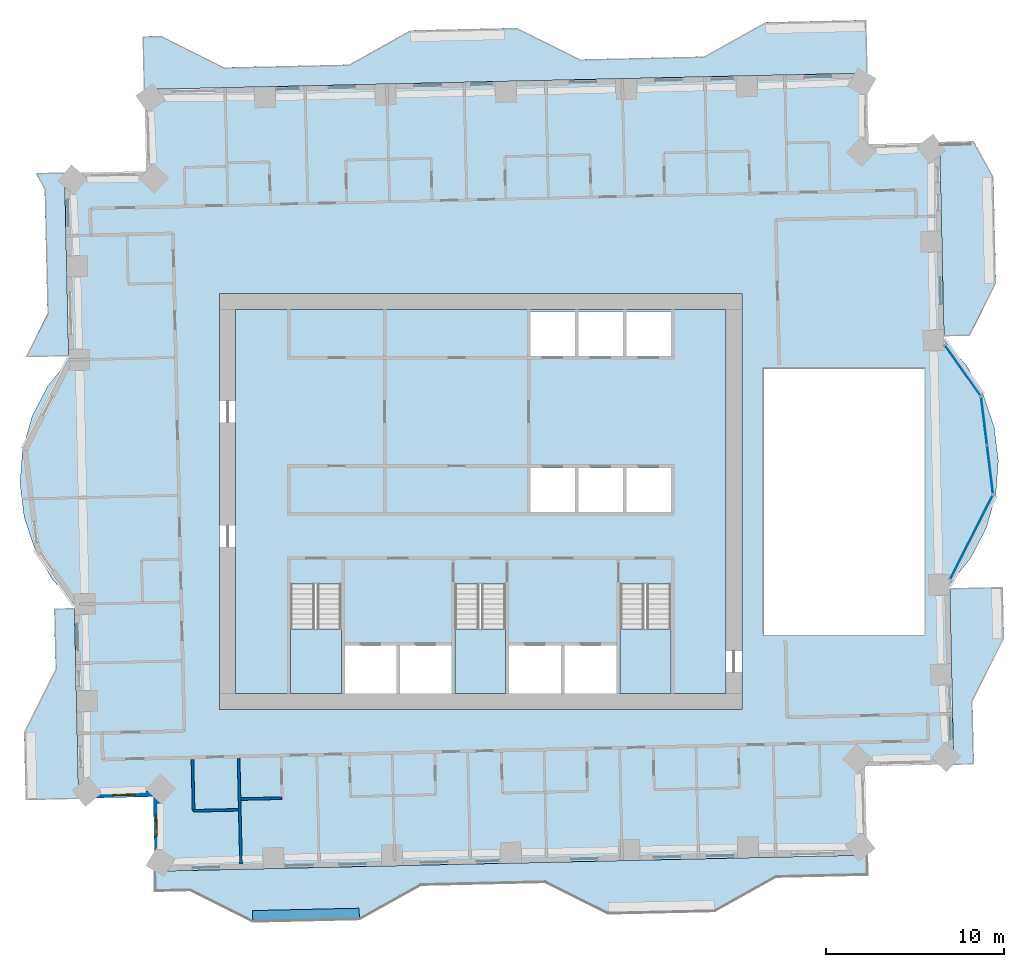
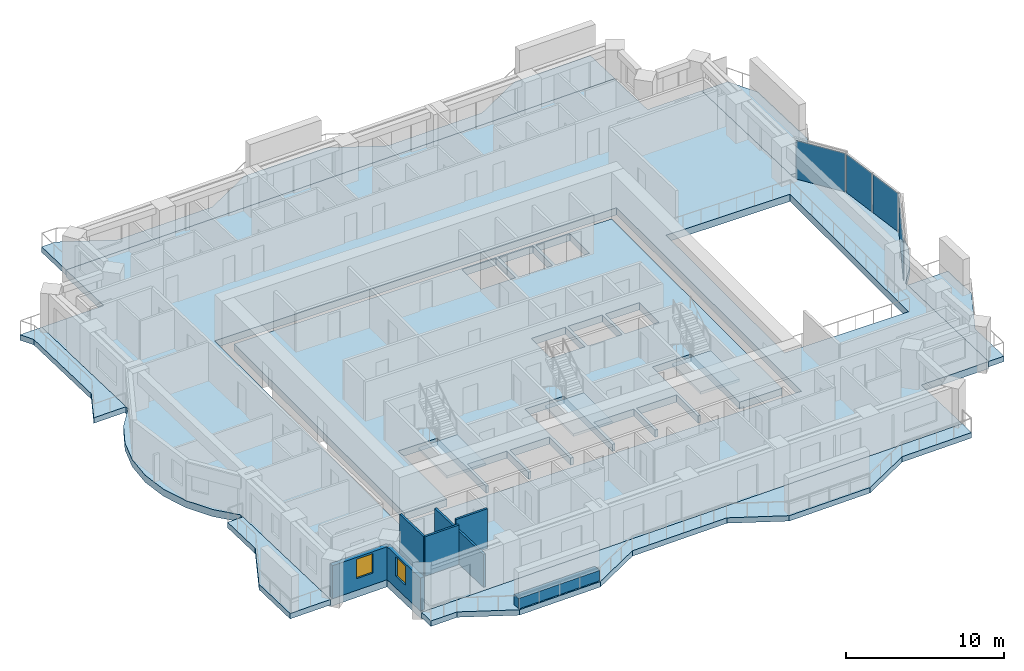
# One storey, part 5 of 16: 11 slabs, 7 walls, 4 plates, 2 windows, 2 openings, 6 elements without a shape of their own.
"""IFC4 building model written with IfcOpenShell, lengths in metres."""

from ifc_helpers import new_model, si_unit, direction, frame, frame_2d, origin, origin_2d, place, context, subcontext, project, spatial, polyline, rectangle, outline, extrude, material, layer, layer_set, type_object, element, fill, aggregate, save


model = new_model("IFC4")

# Units and contexts
model_context = context("Model", 3, precision=1e-05, world=origin(), true_north=direction((0.0, 1.0)))
body_context = subcontext(model_context, "Body", "Model", "MODEL_VIEW")
ifc_project = project(units=[si_unit("LENGTHUNIT", "METRE"), si_unit("AREAUNIT", "SQUARE_METRE"), si_unit("VOLUMEUNIT", "CUBIC_METRE"), si_unit("PLANEANGLEUNIT", "RADIAN"), si_unit("MASSUNIT", "GRAM", prefix="KILO")], contexts=[model_context])

# Site, building, storey
site_placement = place(None, origin())
site = spatial("IfcSite", under=ifc_project, at=site_placement, CompositionType="ELEMENT")
building_placement = place(site_placement, origin())
building = spatial("IfcBuilding", under=site, at=building_placement, Name="Mangrove Gate Tower", CompositionType="ELEMENT")
storey_placement = place(building_placement, frame((0.0, 0.0, 178.89990234375)))
storey = spatial("IfcBuildingStorey", under=building, at=storey_placement, Name="L45", CompositionType="ELEMENT", Elevation=178.89990234375)

# Curtain wall, plate
ifc_material_1 = material(Name="Aluminium and glass curtain wall", Category="aluminium")
curtain_wall_type = type_object("IfcCurtainWallType", Name="Atrium garden-court glazing wall", PredefinedType="NOTDEFINED", material=ifc_material_1)
curtain_wall_1_placement = place(storey_placement, origin())
curtain_wall_1 = element("IfcCurtainWall", 1, at=curtain_wall_1_placement, inside=storey, type_object=curtain_wall_type, Name="Atrium garden-court glazing E1f1", PredefinedType="NOTDEFINED")
ifc_material_2 = material(Name="Laminated low-e glass", Category="glass")
ifc_layer_1 = layer(ifc_material_2, 0.031982421875)
ifc_layer_set_1 = layer_set([ifc_layer_1], Name="Atrium garden-court glazing panel 32")
plate_type = type_object("IfcPlateType", Name="Atrium garden-court glazing panel 32", PredefinedType="CURTAIN_PANEL", material=ifc_layer_set_1)
plate_1_placement = place(storey_placement, frame((27.61572265625, -2.01220703125, 0.0), z_axis=(0.0, 0.0, 1.0), x_axis=(0.452578247326, 0.891724694089, 0.0)))
plate_1 = element("IfcPlate", 2, at=plate_1_placement, type_object=plate_type, Name="CWA panel 1.1", PredefinedType="CURTAIN_PANEL", context=body_context, shape_type="SweptSolid", body=[
    extrude(rectangle(XDim=5.25732421875, YDim=0.031982421875, at=origin_2d()), origin(), (0.0, 0.0, 1.0), 2.97998046875),
])
aggregate(curtain_wall_1, [plate_1])

# Curtain wall, plates
curtain_wall_2_placement = place(storey_placement, origin())
curtain_wall_2 = element("IfcCurtainWall", 3, at=curtain_wall_2_placement, inside=storey, type_object=curtain_wall_type, Name="Atrium garden-court glazing E1f2", PredefinedType="NOTDEFINED")
plate_2_placement = place(storey_placement, frame((28.664794921875, 1.79443359375, 0.0), z_axis=(0.0, 0.0, 1.0), x_axis=(-0.122172286076, 0.992508908028, 0.0)))
plate_2 = element("IfcPlate", 4, at=plate_2_placement, type_object=plate_type, Name="CWA panel 1.1", PredefinedType="CURTAIN_PANEL", context=body_context, shape_type="SweptSolid", body=[
    extrude(rectangle(XDim=2.681640625, YDim=0.031982421875, at=origin_2d()), origin(), (0.0, 0.0, 1.0), 2.97998046875),
])
plate_3_placement = place(storey_placement, frame((28.32861328125, 4.525634765625, 0.0), z_axis=(0.0, 0.0, 1.0), x_axis=(-0.122172286076, 0.992508908028, 0.0)))
plate_3 = element("IfcPlate", 5, at=plate_3_placement, type_object=plate_type, Name="CWA panel 2.1", PredefinedType="CURTAIN_PANEL", context=body_context, shape_type="SweptSolid", body=[
    extrude(rectangle(XDim=2.681640625, YDim=0.031982421875, at=origin_2d()), origin(), (0.0, 0.0, 1.0), 2.97998046875),
])
aggregate(curtain_wall_2, [plate_2, plate_3])

# Curtain wall, plate
curtain_wall_3_placement = place(storey_placement, origin())
curtain_wall_3 = element("IfcCurtainWall", 6, at=curtain_wall_3_placement, inside=storey, type_object=curtain_wall_type, Name="Atrium garden-court glazing E1f3", PredefinedType="NOTDEFINED")
plate_4_placement = place(storey_placement, frame((27.125, 7.381591796875, 0.0), z_axis=(0.0, 0.0, 1.0), x_axis=(-0.578106334278, 0.815961436753, 0.0)))
plate_4 = element("IfcPlate", 7, at=plate_4_placement, type_object=plate_type, Name="CWA panel 1.1", PredefinedType="CURTAIN_PANEL", context=body_context, shape_type="SweptSolid", body=[
    extrude(rectangle(XDim=3.427978515625, YDim=0.031982421875, at=origin_2d()), origin(), (0.0, 0.0, 1.0), 2.97998046875),
])
aggregate(curtain_wall_3, [plate_4])

# Slabs
ifc_material_3 = material(Name="Porcelain tile")
ifc_layer_2 = layer(ifc_material_3, 0.02001953125, Name="Tile finish")
ifc_material_4 = material(Name="Cement sand screed")
ifc_layer_3 = layer(ifc_material_4, 0.0400390625, Name="Screed laid to falls")
ifc_material_5 = material(Name="Bituminous waterproofing membrane")
ifc_layer_4 = layer(ifc_material_5, 0.00390625, Name="Waterproofing")
ifc_material_6 = material(Name="Concrete C40/50", Category="concrete")
ifc_layer_5 = layer(ifc_material_6, 0.340087890625, Name="Balcony structural slab")
ifc_material_7 = material(Name="Limestone", Category="masonry")
ifc_layer_6 = layer(ifc_material_7, 0.01611328125, Name="Soffit lining")
ifc_layer_set_2 = layer_set([ifc_layer_2, ifc_layer_3, ifc_layer_4, ifc_layer_5, ifc_layer_6], Name="Balcony slab 420 C40/50")
slab_type_1 = type_object("IfcSlabType", Name="Balcony slab 420 C40/50", PredefinedType="FLOOR", material=ifc_layer_set_2)
slab_1_placement = place(storey_placement, frame((0.0, 0.0, -0.419921875)))
element("IfcSlab", 8, at=slab_1_placement, inside=storey, type_object=slab_type_1, Name="BALCONY L45 E0", PredefinedType="FLOOR", context=body_context, shape_type="SweptSolid", body=[
    extrude(outline(polyline([(27.759033203125, -14.760986328125), (27.679931640625, -11.261962890625), (29.449951171875, -7.720947265625), (29.385009765625, -4.846923828125), (26.39501953125, -4.9140625), (26.4609375, -7.7880859375), (26.5400390625, -11.2880859375), (26.618896484375, -14.787109375), (27.759033203125, -14.760986328125)])), origin(), (0.0, 0.0, 1.0), 0.419921875),
])
slab_2_placement = place(storey_placement, frame((0.0, 0.0, -0.419921875)))
element("IfcSlab", 9, at=slab_2_placement, inside=storey, type_object=slab_type_1, Name="BALCONY L45 E1", PredefinedType="FLOOR", context=body_context, shape_type="SweptSolid", body=[
    extrude(outline(polyline([(27.5419921875, 9.365966796875), (28.99609375, 12.27392578125), (28.860107421875, 18.27294921875), (27.758056640625, 20.248046875), (25.824951171875, 20.2041015625), (25.87109375, 18.205078125), (26.007080078125, 12.2060546875), (26.072021484375, 9.3330078125), (27.5419921875, 9.365966796875)])), origin(), (0.0, 0.0, 1.0), 0.419921875),
])
slab_3_placement = place(storey_placement, frame((0.0, 0.0, -0.419921875)))
element("IfcSlab", 10, at=slab_3_placement, inside=storey, type_object=slab_type_1, Name="BALCONY L45 N0", PredefinedType="FLOOR", context=body_context, shape_type="SweptSolid", body=[
    extrude(outline(polyline([(21.66796875, 27.10205078125), (16.029052734375, 26.97412109375), (12.572021484375, 25.044921875), (5.573974609375, 24.885986328125), (2.032958984375, 26.656005859375), (-3.966064453125, 26.52001953125), (-7.423095703125, 24.591064453125), (-14.4208984375, 24.43310546875), (-17.9619140625, 26.202880859375), (-19.001953125, 26.178955078125), (-18.93408203125, 23.18994140625), (-7.39697265625, 23.450927734375), (21.736083984375, 24.113037109375), (21.66796875, 27.10205078125)])), origin(), (0.0, 0.0, 1.0), 0.419921875),
])
slab_4_placement = place(storey_placement, frame((0.0, 0.0, -0.419921875)))
element("IfcSlab", 11, at=slab_4_placement, inside=storey, type_object=slab_type_1, Name="BALCONY L45 W0", PredefinedType="FLOOR", context=body_context, shape_type="SweptSolid", body=[
    extrude(outline(polyline([(-25.0439453125, 18.449951171875), (-24.548095703125, 17.56103515625), (-24.388916015625, 10.56298828125), (-25.590087890625, 8.159912109375), (-23.195068359375, 8.214111328125), (-23.2490234375, 10.589111328125), (-23.407958984375, 17.5869140625), (-23.427978515625, 18.487060546875), (-25.0439453125, 18.449951171875)])), origin(), (0.0, 0.0, 1.0), 0.419921875),
])
slab_5_placement = place(storey_placement, frame((0.0, 0.0, -0.419921875)))
element("IfcSlab", 12, at=slab_5_placement, inside=storey, type_object=slab_type_1, Name="BALCONY L45 W1", PredefinedType="FLOOR", context=body_context, shape_type="SweptSolid", body=[
    extrude(outline(polyline([(-24.011962890625, -6.05810546875), (-23.93505859375, -9.431884765625), (-25.705078125, -12.972900390625), (-25.618896484375, -16.77197265625), (-22.6298828125, -16.7041015625), (-22.716064453125, -12.905029296875), (-22.794921875, -9.406005859375), (-22.8720703125, -6.032958984375), (-24.011962890625, -6.05810546875)])), origin(), (0.0, 0.0, 1.0), 0.419921875),
])
slab_6_placement = place(storey_placement, frame((0.0, 0.0, -0.419921875)))
element("IfcSlab", 13, at=slab_6_placement, inside=storey, type_object=slab_type_1, Name="BALCONY L45 S0", PredefinedType="FLOOR", context=body_context, shape_type="SweptSolid", body=[
    extrude(outline(polyline([(-18.31005859375, -21.947998046875), (-16.3701171875, -21.904052734375), (-12.8291015625, -23.674072265625), (-6.8310546875, -23.5380859375), (-3.3740234375, -21.60888671875), (1.72509765625, -21.492919921875), (3.625, -21.450927734375), (7.166015625, -23.219970703125), (13.1640625, -23.083984375), (16.62109375, -21.155029296875), (21.760009765625, -21.0380859375), (21.73388671875, -19.89892578125), (-18.3359375, -20.80810546875), (-18.31005859375, -21.947998046875)])), origin(), (0.0, 0.0, 1.0), 0.419921875),
])
ifc_material_8 = material(Name="Concrete C40/50", Category="concrete")
ifc_layer_7 = layer(ifc_material_8, 0.550048828125)
ifc_layer_set_3 = layer_set([ifc_layer_7], Name="Core floor slab 550 C40/50")
slab_type_2 = type_object("IfcSlabType", Name="Core floor slab 550 C40/50", PredefinedType="FLOOR", material=ifc_layer_set_3)
slab_7_placement = place(storey_placement, frame((0.0, 0.0, -0.5498046875)))
element("IfcSlab", 14, at=slab_7_placement, inside=storey, type_object=slab_type_2, Name="SLAB-L45-CORE-1", PredefinedType="FLOOR", context=body_context, shape_type="SweptSolid", body=[
    extrude(outline(polyline([(-13.800048828125, -10.800048828125), (-13.800048828125, 10.800048828125), (13.800048828125, 10.800048828125), (13.800048828125, -10.800048828125), (10.699951171875, -10.800048828125), (10.699951171875, -4.653076171875), (7.85009765625, -4.653076171875), (7.85009765625, -10.800048828125), (7.64990234375, -10.800048828125), (7.64990234375, -8.10009765625), (4.72509765625, -8.10009765625), (4.72509765625, -10.800048828125), (4.52490234375, -10.800048828125), (4.52490234375, -8.10009765625), (1.60009765625, -8.10009765625), (1.60009765625, -10.800048828125), (1.39990234375, -10.800048828125), (1.39990234375, -4.653076171875), (-1.449951171875, -4.653076171875), (-1.449951171875, -10.800048828125), (-1.64990234375, -10.800048828125), (-1.64990234375, -8.10009765625), (-4.550048828125, -8.10009765625), (-4.550048828125, -10.800048828125), (-4.75, -10.800048828125), (-4.75, -8.10009765625), (-7.64990234375, -8.10009765625), (-7.64990234375, -10.800048828125), (-7.85009765625, -10.800048828125), (-7.85009765625, -4.653076171875), (-10.699951171875, -4.653076171875), (-10.699951171875, -10.800048828125), (-13.800048828125, -10.800048828125)]), holes=[polyline([(5.300048828125, -0.60009765625), (5.300048828125, 1.89990234375), (2.800048828125, 1.89990234375), (2.800048828125, -0.60009765625), (5.300048828125, -0.60009765625)]), polyline([(5.300048828125, 10.699951171875), (2.800048828125, 10.699951171875), (2.800048828125, 8.199951171875), (5.300048828125, 8.199951171875), (5.300048828125, 10.699951171875)]), polyline([(8.0, -0.60009765625), (8.0, 1.89990234375), (5.5, 1.89990234375), (5.5, -0.60009765625), (8.0, -0.60009765625)]), polyline([(10.699951171875, -0.60009765625), (10.699951171875, 1.89990234375), (8.199951171875, 1.89990234375), (8.199951171875, -0.60009765625), (10.699951171875, -0.60009765625)]), polyline([(8.0, 8.199951171875), (8.0, 10.699951171875), (5.5, 10.699951171875), (5.5, 8.199951171875), (8.0, 8.199951171875)]), polyline([(10.699951171875, 8.199951171875), (10.699951171875, 10.699951171875), (8.199951171875, 10.699951171875), (8.199951171875, 8.199951171875), (10.699951171875, 8.199951171875)])]), origin(), (0.0, 0.0, 1.0), 0.5498046875),
])

# Stair, slab
ifc_material_9 = material(Name="Concrete C40/50", Category="concrete")
stair_type = type_object("IfcStairType", Name="Core stair 1350", PredefinedType="HALF_TURN_STAIR", material=ifc_material_9)
stair_1_placement = place(storey_placement, origin())
stair_1 = element("IfcStair", 15, at=stair_1_placement, inside=storey, type_object=stair_type, Name="L45 Stair 1", PredefinedType="HALF_TURN_STAIR")
ifc_material_10 = material(Name="Concrete C40/50", Category="concrete")
ifc_layer_8 = layer(ifc_material_10, 0.199951171875)
ifc_layer_set_4 = layer_set([ifc_layer_8], Name="Core stair landing 200")
slab_type_3 = type_object("IfcSlabType", Name="Core stair landing 200", PredefinedType="LANDING", material=ifc_layer_set_4)
slab_8_placement = place(storey_placement, frame((0.0, 0.0, 1.60009765625)))
slab_8 = element("IfcSlab", 16, at=slab_8_placement, type_object=slab_type_3, Name="ST1 landing 1", PredefinedType="LANDING", context=body_context, shape_type="SweptSolid", body=[
    extrude(outline(polyline([(-10.699951171875, -7.169921875), (-10.699951171875, -10.800048828125), (-7.85009765625, -10.800048828125), (-7.85009765625, -7.169921875), (-10.699951171875, -7.169921875)])), origin(), (0.0, 0.0, 1.0), 0.199951171875),
])
aggregate(stair_1, [slab_8])

stair_2_placement = place(storey_placement, origin())
stair_2 = element("IfcStair", 17, at=stair_2_placement, inside=storey, type_object=stair_type, Name="L45 Stair 2", PredefinedType="HALF_TURN_STAIR")
slab_9_placement = place(storey_placement, frame((0.0, 0.0, 1.60009765625)))
slab_9 = element("IfcSlab", 18, at=slab_9_placement, type_object=slab_type_3, Name="ST2 landing 1", PredefinedType="LANDING", context=body_context, shape_type="SweptSolid", body=[
    extrude(outline(polyline([(-1.449951171875, -7.169921875), (-1.449951171875, -10.800048828125), (1.39990234375, -10.800048828125), (1.39990234375, -7.169921875), (-1.449951171875, -7.169921875)])), origin(), (0.0, 0.0, 1.0), 0.199951171875),
])
aggregate(stair_2, [slab_9])

stair_3_placement = place(storey_placement, origin())
stair_3 = element("IfcStair", 19, at=stair_3_placement, inside=storey, type_object=stair_type, Name="L45 Stair 3", PredefinedType="HALF_TURN_STAIR")
slab_10_placement = place(storey_placement, frame((0.0, 0.0, 1.60009765625)))
slab_10 = element("IfcSlab", 20, at=slab_10_placement, type_object=slab_type_3, Name="ST3 landing 1", PredefinedType="LANDING", context=body_context, shape_type="SweptSolid", body=[
    extrude(outline(polyline([(7.85009765625, -7.169921875), (7.85009765625, -10.800048828125), (10.699951171875, -10.800048828125), (10.699951171875, -7.169921875), (7.85009765625, -7.169921875)])), origin(), (0.0, 0.0, 1.0), 0.199951171875),
])
aggregate(stair_3, [slab_10])

# Slab
ifc_material_11 = material(Name="Concrete C40/50", Category="concrete")
ifc_layer_9 = layer(ifc_material_11, 0.550048828125)
ifc_layer_set_5 = layer_set([ifc_layer_9], Name="Floor slab 550 C40/50")
slab_type_4 = type_object("IfcSlabType", Name="Floor slab 550 C40/50", PredefinedType="FLOOR", material=ifc_layer_set_5)
slab_11_placement = place(storey_placement, frame((0.0, 0.0, -0.5498046875)))
element("IfcSlab", 21, at=slab_11_placement, inside=storey, type_object=slab_type_4, Name="Floor slab L45", PredefinedType="FLOOR", context=body_context, shape_type="SweptSolid", body=[
    extrude(outline(polyline([(-18.335693359375, -20.80810546875), (21.734130859375, -19.898681640625), (21.62060546875, -14.900146484375), (26.619384765625, -14.78662109375), (26.3896484375, -4.66455078125), (27.586181640625, -3.172119140625), (28.463134765625, -1.472412109375), (28.985595703125, 0.36767578125), (29.1328125, 2.27490234375), (28.899169921875, 4.17333984375), (28.293701171875, 5.98779296875), (27.340576171875, 7.64599609375), (26.07763671875, 9.08251953125), (25.8251953125, 20.204345703125), (21.826416015625, 20.113525390625), (21.735595703125, 24.112548828125), (-18.93408203125, 23.189697265625), (-18.82958984375, 18.5908203125), (-23.428466796875, 18.486572265625), (-23.189697265625, 7.964599609375), (-24.38623046875, 6.47216796875), (-25.26318359375, 4.772216796875), (-25.78564453125, 2.932373046875), (-25.932861328125, 1.025146484375), (-25.69921875, -0.873291015625), (-25.09375, -2.687744140625), (-24.140625, -4.345947265625), (-22.877685546875, -5.782470703125), (-22.6298828125, -16.704345703125), (-18.430908203125, -16.609130859375), (-18.335693359375, -20.80810546875)]), holes=[polyline([(15.89990234375, 7.5), (24.964111328125, 7.5), (24.964111328125, -7.5), (15.89990234375, -7.5), (15.89990234375, 7.5)]), polyline([(-14.699951171875, -11.699951171875), (-14.699951171875, 11.699951171875), (14.699951171875, 11.699951171875), (14.699951171875, -11.699951171875), (-14.699951171875, -11.699951171875)])]), origin(), (0.0, 0.0, 1.0), 0.5498046875),
])

# Wall, opening, window
ifc_layer_10 = layer(ifc_material_7, 0.0400390625, Name="Limestone cladding")
ifc_material_12 = material(Name="Ventilated air gap")
ifc_layer_11 = layer(ifc_material_12, 0.0400390625, Name="Ventilated cavity")
ifc_material_13 = material(Name="Mineral wool insulation")
ifc_layer_12 = layer(ifc_material_13, 0.06005859375, Name="Insulation")
ifc_material_14 = material(Name="Breather membrane")
ifc_layer_13 = layer(ifc_material_14, 0.001953125, Name="Breather membrane")
ifc_material_15 = material(Name="Concrete C20/25 blockwork", Category="masonry")
ifc_layer_14 = layer(ifc_material_15, 0.14990234375, Name="Blockwork backing wall")
ifc_material_16 = material(Name="Gypsum plaster")
ifc_layer_15 = layer(ifc_material_16, 0.008056640625, Name="Internal plaster")
ifc_layer_set_6 = layer_set([ifc_layer_10, ifc_layer_11, ifc_layer_12, ifc_layer_13, ifc_layer_14, ifc_layer_15], Name="External wall 300 limestone cladding")
wall_type_1 = type_object("IfcWallType", Name="External wall 300 limestone cladding", PredefinedType="SOLIDWALL", material=ifc_layer_set_6)
wall_1_placement = place(storey_placement, frame((-22.48291015625, -16.551025390625, 0.0), z_axis=(0.0, 0.0, 1.0), x_axis=(0.999744320311, 0.022611811187, 0.0)))
wall_1 = element("IfcWall", 22, at=wall_1_placement, inside=storey, type_object=wall_type_1, Name="WALL-L45-S11", PredefinedType="SOLIDWALL", context=body_context, shape_type="SweptSolid", body=[
    extrude(rectangle(XDim=4.199951171875, YDim=0.300048828125, at=frame_2d((2.10009765625, 0.0))), origin(), (0.0, 0.0, 1.0), 2.550048828125),
])
opening_1_placement = place(wall_1_placement, frame((1.7958984375, 0.0, 0.89990234375)))
opening_1 = element("IfcOpeningElement", 23, at=opening_1_placement, cuts=wall_1, Name="Opening W1", PredefinedType="OPENING", context=body_context, shape_type="SweptSolid", body=[
    extrude(rectangle(XDim=1.199951171875, YDim=1.5, at=frame_2d((0.60009765625, 0.75))), frame((0.0, 0.159912109375, 0.0), z_axis=(0.0, -1.0, 0.0), x_axis=(1.0, 0.0, 0.0)), (0.0, 0.0, 1.0), 0.320068359375),
])
ifc_material_17 = material(Name="Aluminium frame with double-glazed low-e glass", Category="aluminium")
window_type = type_object("IfcWindowType", Name="Side lite 1200x1500", PartitioningType="SINGLE_PANEL", PredefinedType="WINDOW", material=ifc_material_17)
window_1_placement = place(opening_1_placement, origin())
window_1 = element("IfcWindow", 24, at=window_1_placement, inside=storey, type_object=window_type, Name="WIN-L45-S11-1", OverallHeight=1.5, OverallWidth=1.199951171875, PartitioningType="SINGLE_PANEL", PredefinedType="WINDOW", context=body_context, shape_type="SweptSolid", body=[
    extrude(rectangle(XDim=1.199951171875, YDim=1.5, at=frame_2d((0.60009765625, 0.75))), frame((0.0, 0.030029296875, 0.0), z_axis=(0.0, -1.0, 0.0), x_axis=(1.0, 0.0, 0.0)), (0.0, 0.0, 1.0), 0.06005859375),
])
fill(opening_1, window_1)

wall_2_placement = place(storey_placement, frame((-18.283935546875, -16.4560546875, 0.0), z_axis=(0.0, 0.0, 1.0), x_axis=(0.022611811187, -0.999744320311, 0.0)))
wall_2 = element("IfcWall", 25, at=wall_2_placement, inside=storey, type_object=wall_type_1, Name="WALL-L45-W12", PredefinedType="SOLIDWALL", context=body_context, shape_type="SweptSolid", body=[
    extrude(rectangle(XDim=4.199951171875, YDim=0.300048828125, at=frame_2d((2.10009765625, 0.0))), origin(), (0.0, 0.0, 1.0), 2.550048828125),
])
opening_2_placement = place(wall_2_placement, frame((1.194091796875, 0.0, 0.89990234375)))
opening_2 = element("IfcOpeningElement", 26, at=opening_2_placement, cuts=wall_2, Name="Opening W1", PredefinedType="OPENING", context=body_context, shape_type="SweptSolid", body=[
    extrude(rectangle(XDim=1.199951171875, YDim=1.5, at=frame_2d((0.60009765625, 0.75))), frame((0.0, 0.159912109375, 0.0), z_axis=(0.0, -1.0, 0.0), x_axis=(1.0, 0.0, 0.0)), (0.0, 0.0, 1.0), 0.320068359375),
])
window_2_placement = place(opening_2_placement, origin())
window_2 = element("IfcWindow", 27, at=window_2_placement, inside=storey, type_object=window_type, Name="WIN-L45-W12-1", OverallHeight=1.5, OverallWidth=1.199951171875, PartitioningType="SINGLE_PANEL", PredefinedType="WINDOW", context=body_context, shape_type="SweptSolid", body=[
    extrude(rectangle(XDim=1.199951171875, YDim=1.5, at=frame_2d((0.60009765625, 0.75))), frame((0.0, 0.030029296875, 0.0), z_axis=(0.0, -1.0, 0.0), x_axis=(1.0, 0.0, 0.0)), (0.0, 0.0, 1.0), 0.06005859375),
])
fill(opening_2, window_2)

# Walls
ifc_material_18 = material(Name="Gypsum board on steel stud, EI 60", Category="steel")
ifc_layer_16 = layer(ifc_material_18, 0.14990234375)
ifc_layer_set_7 = layer_set([ifc_layer_16], Name="Party wall 150 EI 60")
wall_type_2 = type_object("IfcWallType", Name="Party wall 150 EI 60", PredefinedType="PARTITIONING", material=ifc_layer_set_7)
wall_3_placement = place(storey_placement, frame((-13.493896484375, -20.39794921875, 0.0), z_axis=(0.0, 0.0, 1.0), x_axis=(-0.022692509051, 0.999742491861, 0.0)))
element("IfcWall", 28, at=wall_3_placement, inside=storey, type_object=wall_type_2, Name="WALL-L45-001", PredefinedType="PARTITIONING", context=body_context, shape_type="SweptSolid", body=[
    extrude(rectangle(XDim=5.949462890625, YDim=0.14990234375, at=frame_2d((2.974609375, 0.0))), origin(), (0.0, 0.0, 1.0), 2.550048828125),
])
wall_4_placement = place(storey_placement, frame((-16.162109375, -17.407958984375, 0.0), z_axis=(0.0, 0.0, 1.0), x_axis=(0.999746160391, 0.022530308093, 0.0)))
element("IfcWall", 29, at=wall_4_placement, inside=storey, type_object=wall_type_2, Name="WALL-L45-009", PredefinedType="PARTITIONING", context=body_context, shape_type="SweptSolid", body=[
    extrude(rectangle(XDim=2.52490234375, YDim=0.14990234375, at=frame_2d((1.262451171875, 0.0))), origin(), (0.0, 0.0, 1.0), 3.050048828125),
])
wall_5_placement = place(storey_placement, frame((-16.162109375, -17.407958984375, 0.0), z_axis=(0.0, 0.0, 1.0), x_axis=(-0.022732880677, 0.999741574676, 0.0)))
element("IfcWall", 30, at=wall_5_placement, inside=storey, type_object=wall_type_2, Name="WALL-L45-010", PredefinedType="PARTITIONING", context=body_context, shape_type="SweptSolid", body=[
    extrude(rectangle(XDim=2.899658203125, YDim=0.14990234375, at=frame_2d((1.44970703125, 0.0))), origin(), (0.0, 0.0, 1.0), 3.050048828125),
])
wall_6_placement = place(storey_placement, frame((-13.501953125, -16.7470703125, 0.0), z_axis=(0.0, 0.0, 1.0), x_axis=(0.999749954681, 0.022361308448, 0.0)))
element("IfcWall", 31, at=wall_6_placement, inside=storey, type_object=wall_type_2, Name="WALL-L45-013", PredefinedType="PARTITIONING", context=body_context, shape_type="SweptSolid", body=[
    extrude(rectangle(XDim=2.325439453125, YDim=0.14990234375, at=frame_2d((1.16259765625, 0.0))), origin(), (0.0, 0.0, 1.0), 3.050048828125),
])
ifc_material_19 = material(Name="Concrete C32/40", Category="concrete")
ifc_layer_17 = layer(ifc_material_19, 0.199951171875, Name="Planter trough wall")
ifc_layer_18 = layer(ifc_material_5, 0.0048828125, Name="Waterproofing")
ifc_material_20 = material(Name="Drainage board and gravel")
ifc_layer_19 = layer(ifc_material_20, 0.044921875, Name="Drainage layer")
ifc_material_21 = material(Name="Planting soil")
ifc_layer_20 = layer(ifc_material_21, 0.300048828125, Name="Growing medium")
ifc_layer_set_8 = layer_set([ifc_layer_17, ifc_layer_18, ifc_layer_19, ifc_layer_20], Name="Planter wall 550 C32/40")
wall_type_3 = type_object("IfcWallType", Name="Planter wall 550 C32/40", PredefinedType="USERDEFINED", material=ifc_layer_set_8)
wall_7_placement = place(storey_placement, frame((-12.8369140625, -23.299072265625, 0.0), z_axis=(0.0, 0.0, 1.0), x_axis=(0.999743073592, 0.022666865795, 0.0)))
element("IfcWall", 32, at=wall_7_placement, inside=storey, type_object=wall_type_3, Name="PLANTER L45 S0.1", ObjectType="PLANTER", PredefinedType="USERDEFINED", context=body_context, shape_type="SweptSolid", body=[
    extrude(rectangle(XDim=5.999267578125, YDim=0.550048828125, at=frame_2d((2.99951171875, 0.0))), origin(), (0.0, 0.0, 1.0), 0.800048828125),
])

save(model, "model.ifc")
